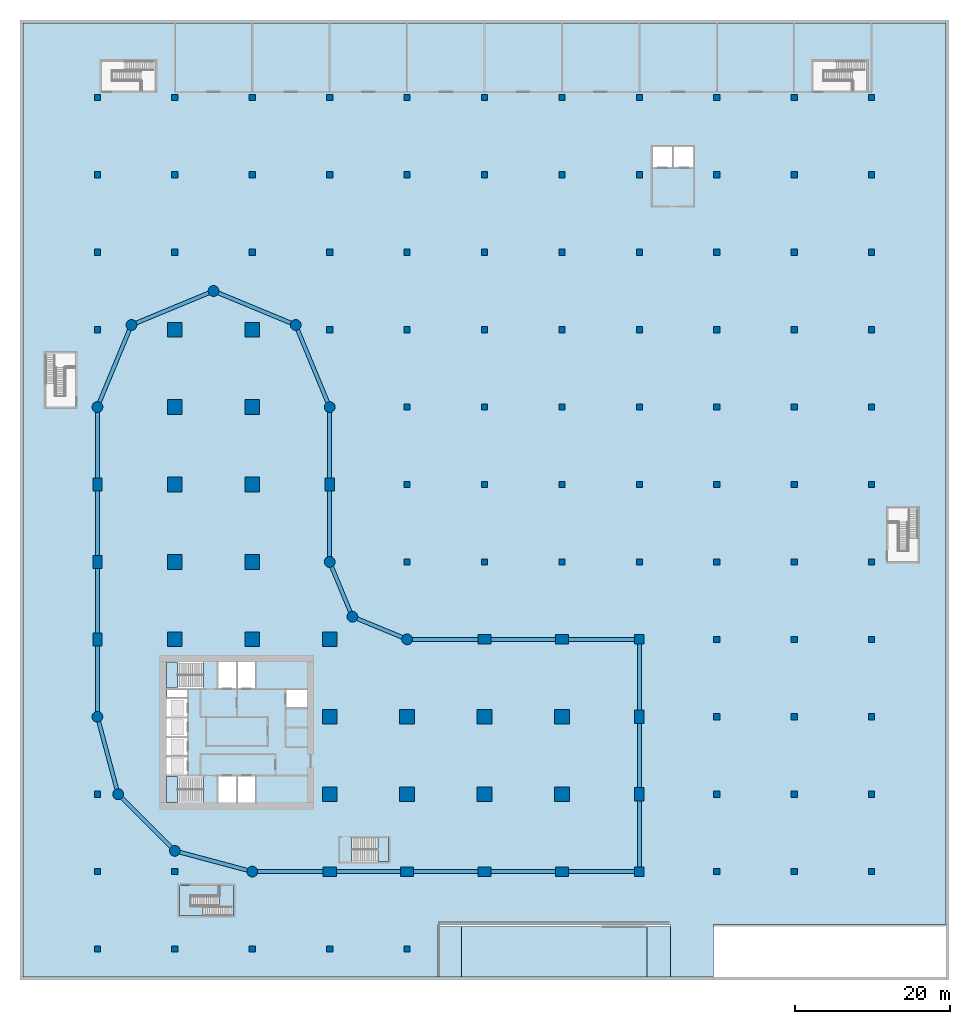
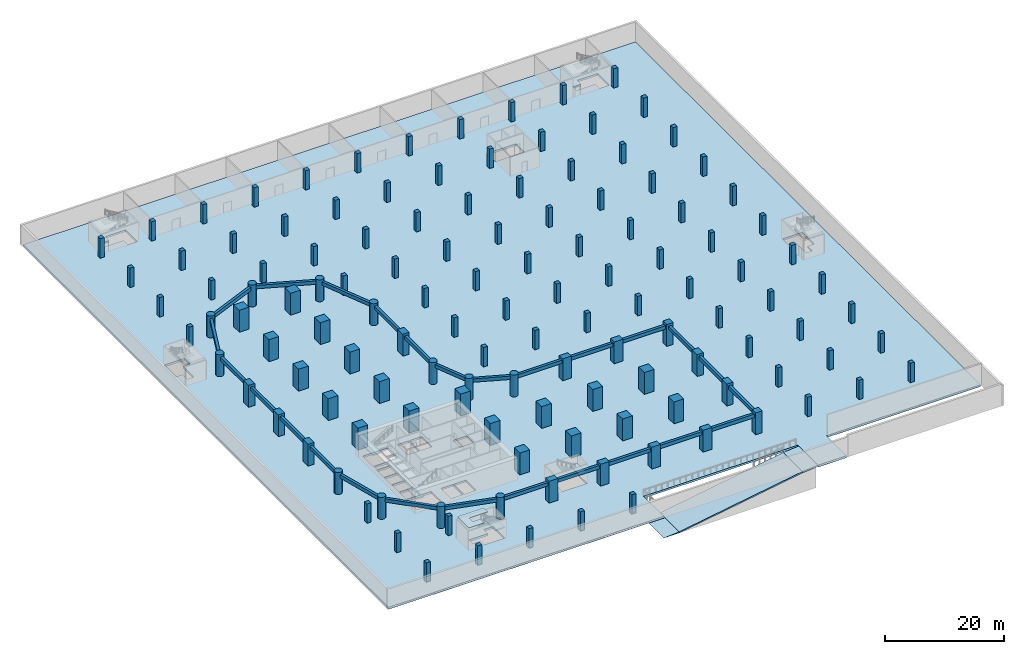
# One storey, part 1 of 19: 128 columns, 26 beams, 9 slabs, 4 elements without a shape of their own.
"""IFC4 building model written with IfcOpenShell, lengths in metres."""

from ifc_helpers import new_model, si_unit, direction, frame, origin, origin_2d, place, context, subcontext, project, spatial, polyline, rectangle, circle, outline, extrude, material, layer, layer_set, material_profile, profile_set, type_object, element, aggregate, save


model = new_model("IFC4")

# Units and contexts
model_context = context("Model", 3, precision=1e-05, world=origin(), true_north=direction((0.0, 1.0)))
body_context = subcontext(model_context, "Body", "Model", "MODEL_VIEW")
ifc_project = project(units=[si_unit("LENGTHUNIT", "METRE"), si_unit("AREAUNIT", "SQUARE_METRE"), si_unit("VOLUMEUNIT", "CUBIC_METRE"), si_unit("PLANEANGLEUNIT", "RADIAN"), si_unit("MASSUNIT", "GRAM", prefix="KILO")], contexts=[model_context])

# Site, building, storey
site_placement = place(None, origin())
site = spatial("IfcSite", under=ifc_project, at=site_placement, CompositionType="ELEMENT")
building_placement = place(site_placement, origin())
building = spatial("IfcBuilding", under=site, at=building_placement, Name="Qaws Garden Tower", CompositionType="ELEMENT")
storey_placement = place(building_placement, frame((0.0, 0.0, -4.5)))
storey = spatial("IfcBuildingStorey", under=building, at=storey_placement, Name="B1", CompositionType="ELEMENT", Elevation=-4.5)

# Columns
ifc_material_1 = material(Name="Concrete C80", Category="concrete")
ifc_material_profile_1 = material_profile(ifc_material_1, rectangle(XDim=1.25, YDim=1.25, at=origin_2d()), Name="RC 1250x1250")
ifc_profile_set_1 = profile_set([ifc_material_profile_1], Name="Concrete C80")
column_type_1 = type_object("IfcColumnType", Name="Column RC 1250x1250 C80", PredefinedType="COLUMN", material=ifc_profile_set_1)
for number, where, z_axis, x_axis, name in (
    (1, (70.0, 0.0, 0.0), (0.0, 0.0, 1.0), (1.0, 0.0, 0.0), "Column B1-006"),
    (2, (70.0, 30.0, 0.0), (0.0, 0.0, 1.0), (1.0, 0.0, 0.0), "Column B1-009"),
):
    element("IfcColumn", number, at=place(storey_placement, frame(where, z_axis=z_axis, x_axis=x_axis)), inside=storey, type_object=column_type_1, Name=name, PredefinedType="COLUMN", context=body_context, shape_type="SweptSolid", body=[
        extrude(rectangle(XDim=1.25, YDim=1.25, at=origin_2d()), origin(), (0.0, 0.0, 1.0), 4.5),
    ])
ifc_material_2 = material(Name="Concrete C80", Category="concrete")
ifc_material_profile_2 = material_profile(ifc_material_2, rectangle(XDim=1.699951171875, YDim=1.199951171875, at=origin_2d()), Name="RC 1700x1200")
ifc_profile_set_2 = profile_set([ifc_material_profile_2], Name="Concrete C80")
column_type_2 = type_object("IfcColumnType", Name="Column RC 1700x1200 C80", PredefinedType="COLUMN", material=ifc_profile_set_2)
for number, where, z_axis, x_axis, name in (
    (3, (30.0, 0.0, 0.0), (0.0, 0.0, 1.0), (1.0, 0.0, 0.0), "Column B1-002"),
    (4, (40.0, 0.0, 0.0), (0.0, 0.0, 1.0), (1.0, 0.0, 0.0), "Column B1-003"),
    (5, (50.0, 0.0, 0.0), (0.0, 0.0, 1.0), (1.0, 0.0, 0.0), "Column B1-004"),
    (6, (60.0, 0.0, 0.0), (0.0, 0.0, 1.0), (1.0, 0.0, 0.0), "Column B1-005"),
    (7, (70.0, 10.0, 0.0), (0.0, 0.0, 1.0), (0.0, 1.0, 0.0), "Column B1-007"),
    (8, (70.0, 20.0, 0.0), (0.0, 0.0, 1.0), (0.0, 1.0, 0.0), "Column B1-008"),
    (9, (60.0, 30.0, 0.0), (0.0, 0.0, 1.0), (1.0, 0.0, 0.0), "Column B1-010"),
    (10, (50.0, 30.0, 0.0), (0.0, 0.0, 1.0), (1.0, 0.0, 0.0), "Column B1-011"),
    (11, (30.0, 50.0, 0.0), (0.0, 0.0, 1.0), (0.0, 1.0, 0.0), "Column B1-015"),
    (12, (0.0, 50.0, 0.0), (0.0, 0.0, 1.0), (0.0, 1.0, 0.0), "Column B1-021"),
    (13, (0.0, 40.0, 0.0), (0.0, 0.0, 1.0), (0.0, 1.0, 0.0), "Column B1-022"),
    (14, (0.0, 30.0, 0.0), (0.0, 0.0, 1.0), (0.0, 1.0, 0.0), "Column B1-023"),
):
    element("IfcColumn", number, at=place(storey_placement, frame(where, z_axis=z_axis, x_axis=x_axis)), inside=storey, type_object=column_type_2, Name=name, PredefinedType="COLUMN", context=body_context, shape_type="SweptSolid", body=[
        extrude(rectangle(XDim=1.699951171875, YDim=1.199951171875, at=origin_2d()), origin(), (0.0, 0.0, 1.0), 4.5),
    ])
ifc_material_3 = material(Name="Concrete C80", Category="concrete")
ifc_material_profile_3 = material_profile(ifc_material_3, rectangle(XDim=1.89990234375, YDim=1.89990234375, at=origin_2d()), Name="RC 1900x1900")
ifc_profile_set_3 = profile_set([ifc_material_profile_3], Name="Concrete C80")
column_type_3 = type_object("IfcColumnType", Name="Column RC 1900x1900 C80", PredefinedType="COLUMN", material=ifc_profile_set_3)
for number, where, z_axis, x_axis, name in (
    (15, (10.0, 30.0, 0.0), (0.0, 0.0, 1.0), (1.0, 0.0, 0.0), "Column B1-027"),
    (16, (10.0, 40.0, 0.0), (0.0, 0.0, 1.0), (1.0, 0.0, 0.0), "Column B1-028"),
    (17, (10.0, 50.0, 0.0), (0.0, 0.0, 1.0), (1.0, 0.0, 0.0), "Column B1-029"),
    (18, (10.0, 60.0, 0.0), (0.0, 0.0, 1.0), (1.0, 0.0, 0.0), "Column B1-030"),
    (19, (10.0, 70.0, 0.0), (0.0, 0.0, 1.0), (1.0, 0.0, 0.0), "Column B1-031"),
    (20, (20.0, 30.0, 0.0), (0.0, 0.0, 1.0), (1.0, 0.0, 0.0), "Column B1-032"),
    (21, (20.0, 40.0, 0.0), (0.0, 0.0, 1.0), (1.0, 0.0, 0.0), "Column B1-033"),
    (22, (20.0, 50.0, 0.0), (0.0, 0.0, 1.0), (1.0, 0.0, 0.0), "Column B1-034"),
    (23, (20.0, 60.0, 0.0), (0.0, 0.0, 1.0), (1.0, 0.0, 0.0), "Column B1-035"),
    (24, (20.0, 70.0, 0.0), (0.0, 0.0, 1.0), (1.0, 0.0, 0.0), "Column B1-036"),
    (25, (30.0, 10.0, 0.0), (0.0, 0.0, 1.0), (1.0, 0.0, 0.0), "Column B1-037"),
    (26, (30.0, 20.0, 0.0), (0.0, 0.0, 1.0), (1.0, 0.0, 0.0), "Column B1-038"),
    (27, (30.0, 30.0, 0.0), (0.0, 0.0, 1.0), (1.0, 0.0, 0.0), "Column B1-039"),
    (28, (40.0, 10.0, 0.0), (0.0, 0.0, 1.0), (1.0, 0.0, 0.0), "Column B1-040"),
    (29, (40.0, 20.0, 0.0), (0.0, 0.0, 1.0), (1.0, 0.0, 0.0), "Column B1-041"),
    (30, (50.0, 10.0, 0.0), (0.0, 0.0, 1.0), (1.0, 0.0, 0.0), "Column B1-042"),
    (31, (50.0, 20.0, 0.0), (0.0, 0.0, 1.0), (1.0, 0.0, 0.0), "Column B1-043"),
    (32, (60.0, 10.0, 0.0), (0.0, 0.0, 1.0), (1.0, 0.0, 0.0), "Column B1-044"),
    (33, (60.0, 20.0, 0.0), (0.0, 0.0, 1.0), (1.0, 0.0, 0.0), "Column B1-045"),
):
    element("IfcColumn", number, at=place(storey_placement, frame(where, z_axis=z_axis, x_axis=x_axis)), inside=storey, type_object=column_type_3, Name=name, PredefinedType="COLUMN", context=body_context, shape_type="SweptSolid", body=[
        extrude(rectangle(XDim=1.89990234375, YDim=1.89990234375, at=origin_2d()), origin(), (0.0, 0.0, 1.0), 4.5),
    ])
ifc_material_4 = material(Name="Concrete C80", Category="concrete")
ifc_material_profile_4 = material_profile(ifc_material_4, circle(Radius=0.699951171875, at=origin_2d()), Name="RC D1400")
ifc_profile_set_4 = profile_set([ifc_material_profile_4], Name="Concrete C80")
column_type_4 = type_object("IfcColumnType", Name="Column RC D1400 C80", PredefinedType="COLUMN", material=ifc_profile_set_4)
for number, where, z_axis, x_axis, name in (
    (34, (20.0, 0.0, 0.0), (0.0, 0.0, 1.0), (1.0, 0.0, 0.0), "Column B1-001"),
    (35, (40.0, 30.0, 0.0), (0.0, 0.0, 1.0), (1.0, 0.0, 0.0), "Column B1-012"),
    (36, (32.928955078125, 32.928955078125, 0.0), (0.0, 0.0, 1.0), (1.0, 0.0, 0.0), "Column B1-013"),
    (37, (30.0, 40.0, 0.0), (0.0, 0.0, 1.0), (1.0, 0.0, 0.0), "Column B1-014"),
    (38, (30.0, 60.0, 0.0), (0.0, 0.0, 1.0), (1.0, 0.0, 0.0), "Column B1-016"),
    (39, (25.606689453125, 70.606689453125, 0.0), (0.0, 0.0, 1.0), (1.0, 0.0, 0.0), "Column B1-017"),
    (40, (15.0, 75.0, 0.0), (0.0, 0.0, 1.0), (1.0, 0.0, 0.0), "Column B1-018"),
    (41, (4.393310546875, 70.606689453125, 0.0), (0.0, 0.0, 1.0), (1.0, 0.0, 0.0), "Column B1-019"),
    (42, (0.0, 60.0, 0.0), (0.0, 0.0, 1.0), (1.0, 0.0, 0.0), "Column B1-020"),
    (43, (0.0, 20.0, 0.0), (0.0, 0.0, 1.0), (1.0, 0.0, 0.0), "Column B1-024"),
    (44, (2.679443359375, 10.0, 0.0), (0.0, 0.0, 1.0), (1.0, 0.0, 0.0), "Column B1-025"),
    (45, (10.0, 2.679443359375, 0.0), (0.0, 0.0, 1.0), (1.0, 0.0, 0.0), "Column B1-026"),
):
    element("IfcColumn", number, at=place(storey_placement, frame(where, z_axis=z_axis, x_axis=x_axis)), inside=storey, type_object=column_type_4, Name=name, PredefinedType="COLUMN", context=body_context, shape_type="SweptSolid", body=[
        extrude(circle(Radius=0.699951171875, at=origin_2d()), origin(), (0.0, 0.0, 1.0), 4.5),
    ])
ifc_material_5 = material(Name="Concrete C45 precast", Category="concrete")
ifc_material_profile_5 = material_profile(ifc_material_5, rectangle(XDim=0.800048828125, YDim=0.800048828125, at=origin_2d()), Name="PC1 column 800 x 800")
ifc_profile_set_5 = profile_set([ifc_material_profile_5], Name="Concrete C45 precast")
column_type_5 = type_object("IfcColumnType", Name="PC1 column 800 x 800", PredefinedType="COLUMN", material=ifc_profile_set_5)
for number, where, z_axis, x_axis, name in (
    (46, (0.0, -10.0, 0.0), (0.0, 0.0, 1.0), (1.0, 0.0, 0.0), "Column 1 B1"),
    (47, (0.0, 0.0, 0.0), (0.0, 0.0, 1.0), (1.0, 0.0, 0.0), "Column 2 B1"),
    (48, (0.0, 10.0, 0.0), (0.0, 0.0, 1.0), (1.0, 0.0, 0.0), "Column 3 B1"),
    (49, (0.0, 70.0, 0.0), (0.0, 0.0, 1.0), (1.0, 0.0, 0.0), "Column 4 B1"),
    (50, (0.0, 80.0, 0.0), (0.0, 0.0, 1.0), (1.0, 0.0, 0.0), "Column 5 B1"),
    (51, (0.0, 90.0, 0.0), (0.0, 0.0, 1.0), (1.0, 0.0, 0.0), "Column 6 B1"),
    (52, (0.0, 100.0, 0.0), (0.0, 0.0, 1.0), (1.0, 0.0, 0.0), "Column 7 B1"),
    (53, (10.0, -10.0, 0.0), (0.0, 0.0, 1.0), (1.0, 0.0, 0.0), "Column 8 B1"),
    (54, (10.0, 0.0, 0.0), (0.0, 0.0, 1.0), (1.0, 0.0, 0.0), "Column 9 B1"),
    (55, (10.0, 80.0, 0.0), (0.0, 0.0, 1.0), (1.0, 0.0, 0.0), "Column 10 B1"),
    (56, (10.0, 90.0, 0.0), (0.0, 0.0, 1.0), (1.0, 0.0, 0.0), "Column 11 B1"),
    (57, (10.0, 100.0, 0.0), (0.0, 0.0, 1.0), (1.0, 0.0, 0.0), "Column 12 B1"),
    (58, (20.0, -10.0, 0.0), (0.0, 0.0, 1.0), (1.0, 0.0, 0.0), "Column 13 B1"),
    (59, (20.0, 80.0, 0.0), (0.0, 0.0, 1.0), (1.0, 0.0, 0.0), "Column 14 B1"),
    (60, (20.0, 90.0, 0.0), (0.0, 0.0, 1.0), (1.0, 0.0, 0.0), "Column 15 B1"),
    (61, (20.0, 100.0, 0.0), (0.0, 0.0, 1.0), (1.0, 0.0, 0.0), "Column 16 B1"),
    (62, (30.0, -10.0, 0.0), (0.0, 0.0, 1.0), (1.0, 0.0, 0.0), "Column 17 B1"),
    (63, (30.0, 70.0, 0.0), (0.0, 0.0, 1.0), (1.0, 0.0, 0.0), "Column 18 B1"),
    (64, (30.0, 80.0, 0.0), (0.0, 0.0, 1.0), (1.0, 0.0, 0.0), "Column 19 B1"),
    (65, (30.0, 90.0, 0.0), (0.0, 0.0, 1.0), (1.0, 0.0, 0.0), "Column 20 B1"),
    (66, (30.0, 100.0, 0.0), (0.0, 0.0, 1.0), (1.0, 0.0, 0.0), "Column 21 B1"),
    (67, (40.0, -10.0, 0.0), (0.0, 0.0, 1.0), (1.0, 0.0, 0.0), "Column 22 B1"),
    (68, (40.0, 40.0, 0.0), (0.0, 0.0, 1.0), (1.0, 0.0, 0.0), "Column 23 B1"),
    (69, (40.0, 50.0, 0.0), (0.0, 0.0, 1.0), (1.0, 0.0, 0.0), "Column 24 B1"),
    (70, (40.0, 60.0, 0.0), (0.0, 0.0, 1.0), (1.0, 0.0, 0.0), "Column 25 B1"),
    (71, (40.0, 70.0, 0.0), (0.0, 0.0, 1.0), (1.0, 0.0, 0.0), "Column 26 B1"),
    (72, (40.0, 80.0, 0.0), (0.0, 0.0, 1.0), (1.0, 0.0, 0.0), "Column 27 B1"),
    (73, (40.0, 90.0, 0.0), (0.0, 0.0, 1.0), (1.0, 0.0, 0.0), "Column 28 B1"),
    (74, (40.0, 100.0, 0.0), (0.0, 0.0, 1.0), (1.0, 0.0, 0.0), "Column 29 B1"),
    (75, (50.0, 40.0, 0.0), (0.0, 0.0, 1.0), (1.0, 0.0, 0.0), "Column 30 B1"),
    (76, (50.0, 50.0, 0.0), (0.0, 0.0, 1.0), (1.0, 0.0, 0.0), "Column 31 B1"),
    (77, (50.0, 60.0, 0.0), (0.0, 0.0, 1.0), (1.0, 0.0, 0.0), "Column 32 B1"),
    (78, (50.0, 70.0, 0.0), (0.0, 0.0, 1.0), (1.0, 0.0, 0.0), "Column 33 B1"),
    (79, (50.0, 80.0, 0.0), (0.0, 0.0, 1.0), (1.0, 0.0, 0.0), "Column 34 B1"),
    (80, (50.0, 90.0, 0.0), (0.0, 0.0, 1.0), (1.0, 0.0, 0.0), "Column 35 B1"),
    (81, (50.0, 100.0, 0.0), (0.0, 0.0, 1.0), (1.0, 0.0, 0.0), "Column 36 B1"),
    (82, (60.0, 40.0, 0.0), (0.0, 0.0, 1.0), (1.0, 0.0, 0.0), "Column 37 B1"),
    (83, (60.0, 50.0, 0.0), (0.0, 0.0, 1.0), (1.0, 0.0, 0.0), "Column 38 B1"),
    (84, (60.0, 60.0, 0.0), (0.0, 0.0, 1.0), (1.0, 0.0, 0.0), "Column 39 B1"),
    (85, (60.0, 70.0, 0.0), (0.0, 0.0, 1.0), (1.0, 0.0, 0.0), "Column 40 B1"),
    (86, (60.0, 80.0, 0.0), (0.0, 0.0, 1.0), (1.0, 0.0, 0.0), "Column 41 B1"),
    (87, (60.0, 90.0, 0.0), (0.0, 0.0, 1.0), (1.0, 0.0, 0.0), "Column 42 B1"),
    (88, (60.0, 100.0, 0.0), (0.0, 0.0, 1.0), (1.0, 0.0, 0.0), "Column 43 B1"),
    (89, (70.0, 40.0, 0.0), (0.0, 0.0, 1.0), (1.0, 0.0, 0.0), "Column 44 B1"),
    (90, (70.0, 50.0, 0.0), (0.0, 0.0, 1.0), (1.0, 0.0, 0.0), "Column 45 B1"),
    (91, (70.0, 60.0, 0.0), (0.0, 0.0, 1.0), (1.0, 0.0, 0.0), "Column 46 B1"),
    (92, (70.0, 70.0, 0.0), (0.0, 0.0, 1.0), (1.0, 0.0, 0.0), "Column 47 B1"),
    (93, (70.0, 80.0, 0.0), (0.0, 0.0, 1.0), (1.0, 0.0, 0.0), "Column 48 B1"),
    (94, (70.0, 90.0, 0.0), (0.0, 0.0, 1.0), (1.0, 0.0, 0.0), "Column 49 B1"),
    (95, (70.0, 100.0, 0.0), (0.0, 0.0, 1.0), (1.0, 0.0, 0.0), "Column 50 B1"),
    (96, (80.0, 0.0, 0.0), (0.0, 0.0, 1.0), (1.0, 0.0, 0.0), "Column 51 B1"),
    (97, (80.0, 10.0, 0.0), (0.0, 0.0, 1.0), (1.0, 0.0, 0.0), "Column 52 B1"),
    (98, (80.0, 20.0, 0.0), (0.0, 0.0, 1.0), (1.0, 0.0, 0.0), "Column 53 B1"),
    (99, (80.0, 30.0, 0.0), (0.0, 0.0, 1.0), (1.0, 0.0, 0.0), "Column 54 B1"),
    (100, (80.0, 40.0, 0.0), (0.0, 0.0, 1.0), (1.0, 0.0, 0.0), "Column 55 B1"),
    (101, (80.0, 50.0, 0.0), (0.0, 0.0, 1.0), (1.0, 0.0, 0.0), "Column 56 B1"),
    (102, (80.0, 60.0, 0.0), (0.0, 0.0, 1.0), (1.0, 0.0, 0.0), "Column 57 B1"),
    (103, (80.0, 70.0, 0.0), (0.0, 0.0, 1.0), (1.0, 0.0, 0.0), "Column 58 B1"),
    (104, (80.0, 80.0, 0.0), (0.0, 0.0, 1.0), (1.0, 0.0, 0.0), "Column 59 B1"),
    (105, (80.0, 90.0, 0.0), (0.0, 0.0, 1.0), (1.0, 0.0, 0.0), "Column 60 B1"),
    (106, (80.0, 100.0, 0.0), (0.0, 0.0, 1.0), (1.0, 0.0, 0.0), "Column 61 B1"),
    (107, (90.0, 0.0, 0.0), (0.0, 0.0, 1.0), (1.0, 0.0, 0.0), "Column 62 B1"),
    (108, (90.0, 10.0, 0.0), (0.0, 0.0, 1.0), (1.0, 0.0, 0.0), "Column 63 B1"),
    (109, (90.0, 20.0, 0.0), (0.0, 0.0, 1.0), (1.0, 0.0, 0.0), "Column 64 B1"),
    (110, (90.0, 30.0, 0.0), (0.0, 0.0, 1.0), (1.0, 0.0, 0.0), "Column 65 B1"),
    (111, (90.0, 40.0, 0.0), (0.0, 0.0, 1.0), (1.0, 0.0, 0.0), "Column 66 B1"),
    (112, (90.0, 50.0, 0.0), (0.0, 0.0, 1.0), (1.0, 0.0, 0.0), "Column 67 B1"),
    (113, (90.0, 60.0, 0.0), (0.0, 0.0, 1.0), (1.0, 0.0, 0.0), "Column 68 B1"),
    (114, (90.0, 70.0, 0.0), (0.0, 0.0, 1.0), (1.0, 0.0, 0.0), "Column 69 B1"),
    (115, (90.0, 80.0, 0.0), (0.0, 0.0, 1.0), (1.0, 0.0, 0.0), "Column 70 B1"),
    (116, (90.0, 90.0, 0.0), (0.0, 0.0, 1.0), (1.0, 0.0, 0.0), "Column 71 B1"),
    (117, (90.0, 100.0, 0.0), (0.0, 0.0, 1.0), (1.0, 0.0, 0.0), "Column 72 B1"),
    (118, (100.0, 0.0, 0.0), (0.0, 0.0, 1.0), (1.0, 0.0, 0.0), "Column 73 B1"),
    (119, (100.0, 10.0, 0.0), (0.0, 0.0, 1.0), (1.0, 0.0, 0.0), "Column 74 B1"),
    (120, (100.0, 20.0, 0.0), (0.0, 0.0, 1.0), (1.0, 0.0, 0.0), "Column 75 B1"),
    (121, (100.0, 30.0, 0.0), (0.0, 0.0, 1.0), (1.0, 0.0, 0.0), "Column 76 B1"),
    (122, (100.0, 40.0, 0.0), (0.0, 0.0, 1.0), (1.0, 0.0, 0.0), "Column 77 B1"),
    (123, (100.0, 50.0, 0.0), (0.0, 0.0, 1.0), (1.0, 0.0, 0.0), "Column 78 B1"),
    (124, (100.0, 60.0, 0.0), (0.0, 0.0, 1.0), (1.0, 0.0, 0.0), "Column 79 B1"),
    (125, (100.0, 70.0, 0.0), (0.0, 0.0, 1.0), (1.0, 0.0, 0.0), "Column 80 B1"),
    (126, (100.0, 80.0, 0.0), (0.0, 0.0, 1.0), (1.0, 0.0, 0.0), "Column 81 B1"),
    (127, (100.0, 90.0, 0.0), (0.0, 0.0, 1.0), (1.0, 0.0, 0.0), "Column 82 B1"),
    (128, (100.0, 100.0, 0.0), (0.0, 0.0, 1.0), (1.0, 0.0, 0.0), "Column 83 B1"),
):
    element("IfcColumn", number, at=place(storey_placement, frame(where, z_axis=z_axis, x_axis=x_axis)), inside=storey, type_object=column_type_5, Name=name, PredefinedType="COLUMN", context=body_context, shape_type="SweptSolid", body=[
        extrude(rectangle(XDim=0.800048828125, YDim=0.800048828125, at=origin_2d()), origin(), (0.0, 0.0, 1.0), 4.0),
    ])

# Beams
ifc_material_6 = material(Name="Concrete C45", Category="concrete")
ifc_material_profile_6 = material_profile(ifc_material_6, rectangle(XDim=0.5, YDim=0.699951171875, at=origin_2d()), Name="RC 500x700")
ifc_profile_set_6 = profile_set([ifc_material_profile_6], Name="Concrete C45")
beam_type = type_object("IfcBeamType", Name="Spandrel beam RC 500x700 C45", PredefinedType="SPANDREL", material=ifc_profile_set_6)
for number, where, z_axis, x_axis, name in (
    (129, (20.0, 0.0, 3.699951171875), (1.0, 0.0, 0.0), (0.0, 1.0, 0.0), "Spandrel beam B1-001"),
    (130, (30.0, 0.0, 3.699951171875), (1.0, 0.0, 0.0), (0.0, 1.0, 0.0), "Spandrel beam B1-002"),
    (131, (40.0, 0.0, 3.699951171875), (1.0, 0.0, 0.0), (0.0, 1.0, 0.0), "Spandrel beam B1-003"),
    (132, (50.0, 0.0, 3.699951171875), (1.0, 0.0, 0.0), (0.0, 1.0, 0.0), "Spandrel beam B1-004"),
    (133, (60.0, 0.0, 3.699951171875), (1.0, 0.0, 0.0), (0.0, 1.0, 0.0), "Spandrel beam B1-005"),
    (134, (70.0, 0.0, 3.699951171875), (0.0, 1.0, 0.0), (-1.0, 0.0, 0.0), "Spandrel beam B1-006"),
    (135, (70.0, 10.0, 3.699951171875), (0.0, 1.0, 0.0), (-1.0, 0.0, 0.0), "Spandrel beam B1-007"),
    (136, (70.0, 20.0, 3.699951171875), (0.0, 1.0, 0.0), (-1.0, 0.0, 0.0), "Spandrel beam B1-008"),
    (137, (70.0, 30.0, 3.699951171875), (-1.0, 0.0, 0.0), (0.0, -1.0, 0.0), "Spandrel beam B1-009"),
    (138, (60.0, 30.0, 3.699951171875), (-1.0, 0.0, 0.0), (0.0, -1.0, 0.0), "Spandrel beam B1-010"),
    (139, (50.0, 30.0, 3.699951171875), (-1.0, 0.0, 0.0), (0.0, -1.0, 0.0), "Spandrel beam B1-011"),
):
    element("IfcBeam", number, at=place(storey_placement, frame(where, z_axis=z_axis, x_axis=x_axis)), inside=storey, type_object=beam_type, Name=name, PredefinedType="SPANDREL", context=body_context, shape_type="SweptSolid", body=[
        extrude(rectangle(XDim=0.5, YDim=0.699951171875, at=origin_2d()), origin(), (0.0, 0.0, 1.0), 10.0),
    ])
for number, where, z_axis, x_axis, name in (
    (140, (40.0, 30.0, 3.699951171875), (-0.923878037141, 0.382687042488, 0.0), (-0.382687042488, -0.923878037141, 0.0), "Spandrel beam B1-012"),
    (141, (32.928955078125, 32.928955078125, 3.699951171875), (-0.382687042488, 0.923878037141, 0.0), (-0.923878037141, -0.382687042488, 0.0), "Spandrel beam B1-013"),
):
    element("IfcBeam", number, at=place(storey_placement, frame(where, z_axis=z_axis, x_axis=x_axis)), inside=storey, type_object=beam_type, Name=name, PredefinedType="SPANDREL", context=body_context, shape_type="SweptSolid", body=[
        extrude(rectangle(XDim=0.5, YDim=0.699951171875, at=origin_2d()), origin(), (0.0, 0.0, 1.0), 7.653564453125),
    ])
for number, where, z_axis, x_axis, name in (
    (142, (30.0, 40.0, 3.699951171875), (0.0, 1.0, 0.0), (-1.0, 0.0, 0.0), "Spandrel beam B1-014"),
    (143, (30.0, 50.0, 3.699951171875), (0.0, 1.0, 0.0), (-1.0, 0.0, 0.0), "Spandrel beam B1-015"),
):
    element("IfcBeam", number, at=place(storey_placement, frame(where, z_axis=z_axis, x_axis=x_axis)), inside=storey, type_object=beam_type, Name=name, PredefinedType="SPANDREL", context=body_context, shape_type="SweptSolid", body=[
        extrude(rectangle(XDim=0.5, YDim=0.699951171875, at=origin_2d()), origin(), (0.0, 0.0, 1.0), 10.0),
    ])
for number, where, z_axis, x_axis, name in (
    (144, (30.0, 60.0, 3.699951171875), (-0.382674207535, 0.923883353507, 0.0), (-0.923883353507, -0.382674207535, 0.0), "Spandrel beam B1-016"),
    (145, (25.606689453125, 70.606689453125, 3.699951171875), (-0.923883353507, 0.382674207535, 0.0), (-0.382674207535, -0.923883353507, 0.0), "Spandrel beam B1-017"),
    (146, (15.0, 75.0, 3.699951171875), (-0.923883353507, -0.382674207535, 0.0), (0.382674207535, -0.923883353507, 0.0), "Spandrel beam B1-018"),
    (147, (4.393310546875, 70.606689453125, 3.699951171875), (-0.382674207535, -0.923883353507, 0.0), (0.923883353507, -0.382674207535, 0.0), "Spandrel beam B1-019"),
):
    element("IfcBeam", number, at=place(storey_placement, frame(where, z_axis=z_axis, x_axis=x_axis)), inside=storey, type_object=beam_type, Name=name, PredefinedType="SPANDREL", context=body_context, shape_type="SweptSolid", body=[
        extrude(rectangle(XDim=0.5, YDim=0.699951171875, at=origin_2d()), origin(), (0.0, 0.0, 1.0), 11.48046875),
    ])
for number, where, z_axis, x_axis, name in (
    (148, (0.0, 60.0, 3.699951171875), (0.0, -1.0, 0.0), (1.0, 0.0, 0.0), "Spandrel beam B1-020"),
    (149, (0.0, 50.0, 3.699951171875), (0.0, -1.0, 0.0), (1.0, 0.0, 0.0), "Spandrel beam B1-021"),
    (150, (0.0, 40.0, 3.699951171875), (0.0, -1.0, 0.0), (1.0, 0.0, 0.0), "Spandrel beam B1-022"),
    (151, (0.0, 30.0, 3.699951171875), (0.0, -1.0, 0.0), (1.0, 0.0, 0.0), "Spandrel beam B1-023"),
):
    element("IfcBeam", number, at=place(storey_placement, frame(where, z_axis=z_axis, x_axis=x_axis)), inside=storey, type_object=beam_type, Name=name, PredefinedType="SPANDREL", context=body_context, shape_type="SweptSolid", body=[
        extrude(rectangle(XDim=0.5, YDim=0.699951171875, at=origin_2d()), origin(), (0.0, 0.0, 1.0), 10.0),
    ])
for number, where, z_axis, x_axis, name in (
    (152, (0.0, 20.0, 3.699951171875), (0.25881466832, -0.965926999034, 0.0), (0.965926999034, 0.25881466832, 0.0), "Spandrel beam B1-024"),
    (153, (2.679443359375, 10.0, 3.699951171875), (0.707106781187, -0.707106781187, 0.0), (0.707106781187, 0.707106781187, 0.0), "Spandrel beam B1-025"),
    (154, (10.0, 2.679443359375, 3.699951171875), (0.965926999034, -0.25881466832, 0.0), (0.25881466832, 0.965926999034, 0.0), "Spandrel beam B1-026"),
):
    element("IfcBeam", number, at=place(storey_placement, frame(where, z_axis=z_axis, x_axis=x_axis)), inside=storey, type_object=beam_type, Name=name, PredefinedType="SPANDREL", context=body_context, shape_type="SweptSolid", body=[
        extrude(rectangle(XDim=0.5, YDim=0.699951171875, at=origin_2d()), origin(), (0.0, 0.0, 1.0), 10.352783203125),
    ])

# Slab
ifc_material_7 = material(Name="Concrete C40", Category="concrete")
ifc_layer_1 = layer(ifc_material_7, 0.39990234375)
ifc_layer_set_1 = layer_set([ifc_layer_1], Name="Concrete C40")
slab_type_1 = type_object("IfcSlabType", Name="Basement floor slab 400", PredefinedType="FLOOR", material=ifc_layer_set_1)
slab_1_placement = place(storey_placement, frame((0.0, 0.0, -0.39990234375)))
element("IfcSlab", 155, at=slab_1_placement, inside=storey, type_object=slab_type_1, Name="Basement floor slab B1", PredefinedType="FLOOR", context=body_context, shape_type="SweptSolid", body=[
    extrude(outline(polyline([(-9.60009765625, -13.60009765625), (44.0, -13.60009765625), (44.0, -6.800048828125), (74.0, -6.800048828125), (74.0, -13.60009765625), (79.60009765625, -13.60009765625), (79.60009765625, -6.800048828125), (109.60009765625, -6.800048828125), (109.60009765625, 109.60009765625), (-9.60009765625, 109.60009765625), (-9.60009765625, -13.60009765625)]), holes=[polyline([(13.659912109375, -4.39990234375), (13.659912109375, -5.699951171875), (15.739990234375, -5.699951171875), (17.60009765625, -5.699951171875), (17.60009765625, -4.39990234375), (17.60009765625, -3.199951171875), (17.60009765625, -1.800048828125), (15.739990234375, -1.800048828125), (15.739990234375, -3.199951171875), (12.10009765625, -3.199951171875), (12.10009765625, -4.39990234375), (13.659912109375, -4.39990234375)]), polyline([(13.699462890625, 12.300048828125), (8.89990234375, 12.300048828125), (8.89990234375, 8.89990234375), (13.699462890625, 8.89990234375), (13.699462890625, 12.300048828125)]), polyline([(17.89990234375, 12.300048828125), (15.60009765625, 12.300048828125), (15.60009765625, 8.89990234375), (17.89990234375, 8.89990234375), (17.89990234375, 12.300048828125)]), polyline([(11.60009765625, 12.5), (11.60009765625, 14.800048828125), (8.89990234375, 14.800048828125), (8.89990234375, 12.5), (11.60009765625, 12.5)]), polyline([(11.60009765625, 15.0), (11.60009765625, 17.300048828125), (8.89990234375, 17.300048828125), (8.89990234375, 15.0), (11.60009765625, 15.0)]), polyline([(11.60009765625, 19.800048828125), (8.89990234375, 19.800048828125), (8.89990234375, 17.5), (11.60009765625, 17.5), (11.60009765625, 19.800048828125)]), polyline([(11.60009765625, 22.300048828125), (8.89990234375, 22.300048828125), (8.89990234375, 20.0), (11.60009765625, 20.0), (11.60009765625, 22.300048828125)]), polyline([(11.60009765625, 23.5), (9.0, 23.5), (9.0, 22.5), (11.60009765625, 22.5), (11.60009765625, 23.5)]), polyline([(13.699462890625, 23.699951171875), (13.699462890625, 27.10009765625), (8.89990234375, 27.10009765625), (8.89990234375, 23.699951171875), (13.699462890625, 23.699951171875)]), polyline([(-6.699951171875, 65.139892578125), (-6.699951171875, 63.06005859375), (-5.39990234375, 63.06005859375), (-5.39990234375, 61.5), (-4.199951171875, 61.5), (-4.199951171875, 65.139892578125), (-2.800048828125, 65.139892578125), (-2.800048828125, 67.0), (-4.199951171875, 67.0), (-5.39990234375, 67.0), (-6.699951171875, 67.0), (-6.699951171875, 65.139892578125)]), polyline([(2.0, 102.199951171875), (5.639892578125, 102.199951171875), (5.639892578125, 100.800048828125), (7.5, 100.800048828125), (7.5, 102.199951171875), (7.5, 103.39990234375), (7.5, 104.699951171875), (5.639892578125, 104.699951171875), (3.56005859375, 104.699951171875), (3.56005859375, 103.39990234375), (2.0, 103.39990234375), (2.0, 102.199951171875)]), polyline([(37.60009765625, 1.300048828125), (37.60009765625, 4.39990234375), (32.8505859375, 4.39990234375), (32.8505859375, 1.300048828125), (37.60009765625, 1.300048828125)]), polyline([(20.39990234375, 8.89990234375), (20.39990234375, 12.300048828125), (18.10009765625, 12.300048828125), (18.10009765625, 8.89990234375), (20.39990234375, 8.89990234375)]), polyline([(27.10009765625, 23.5), (24.39990234375, 23.5), (24.39990234375, 21.199951171875), (27.10009765625, 21.199951171875), (27.10009765625, 23.5)]), polyline([(17.89990234375, 23.699951171875), (17.89990234375, 27.10009765625), (15.60009765625, 27.10009765625), (15.60009765625, 23.699951171875), (17.89990234375, 23.699951171875)]), polyline([(20.39990234375, 23.699951171875), (20.39990234375, 27.10009765625), (18.10009765625, 27.10009765625), (18.10009765625, 23.699951171875), (20.39990234375, 23.699951171875)]), polyline([(103.5, 47.0), (102.10009765625, 47.0), (102.10009765625, 45.139892578125), (103.5, 45.139892578125), (103.5, 41.5), (104.699951171875, 41.5), (104.699951171875, 43.06005859375), (106.0, 43.06005859375), (106.0, 45.139892578125), (106.0, 47.0), (104.699951171875, 47.0), (103.5, 47.0)]), polyline([(77.14990234375, 90.89990234375), (77.14990234375, 93.699951171875), (71.5, 93.699951171875), (71.5, 90.89990234375), (77.14990234375, 90.89990234375)]), polyline([(93.89990234375, 103.39990234375), (93.89990234375, 102.199951171875), (97.5400390625, 102.199951171875), (97.5400390625, 100.800048828125), (99.39990234375, 100.800048828125), (99.39990234375, 102.199951171875), (99.39990234375, 103.39990234375), (99.39990234375, 104.699951171875), (97.5400390625, 104.699951171875), (95.4599609375, 104.699951171875), (95.4599609375, 103.39990234375), (93.89990234375, 103.39990234375)])]), origin(), (0.0, 0.0, 1.0), 0.39990234375),
])

# Stair, slab
ifc_material_8 = material(Name="Concrete C40", Category="concrete")
stair_type_1 = type_object("IfcStairType", Name="Basement exit stair 1200", PredefinedType="HALF_TURN_STAIR", material=ifc_material_8)
placement_1 = place(storey_placement, origin())
stair_1 = element("IfcStair", 156, at=placement_1, inside=storey, type_object=stair_type_1, Name="Exit stair S1 B1 to L00", PredefinedType="HALF_TURN_STAIR")
ifc_material_9 = material(Name="Concrete C40", Category="concrete")
ifc_layer_2 = layer(ifc_material_9, 0.10009765625)
ifc_layer_set_2 = layer_set([ifc_layer_2], Name="Concrete C40")
slab_type_2 = type_object("IfcSlabType", Name="Stair foot slab 100", PredefinedType="LANDING", material=ifc_layer_set_2)
placement_2 = place(building_placement, origin())
slab_2_placement = place(placement_2, frame((0.0, 0.0, -0.10009765625)))
slab_2 = element("IfcSlab", 157, at=slab_2_placement, type_object=slab_type_2, Name="Exit stair S1 top landing", PredefinedType="LANDING", context=body_context, shape_type="SweptSolid", body=[
    extrude(outline(polyline([(10.60009765625, -5.699951171875), (13.659912109375, -5.699951171875), (13.659912109375, -4.39990234375), (12.10009765625, -4.39990234375), (12.10009765625, -3.199951171875), (15.739990234375, -3.199951171875), (15.739990234375, -1.800048828125), (10.60009765625, -1.800048828125), (10.60009765625, -5.699951171875)])), origin(), (0.0, 0.0, 1.0), 0.10009765625),
])

ifc_material_10 = material(Name="Concrete C40", Category="concrete")
stair_type_2 = type_object("IfcStairType", Name="Exit stair 1500", PredefinedType="HALF_TURN_STAIR", material=ifc_material_10)
stair_2 = element("IfcStair", 158, at=placement_1, inside=storey, type_object=stair_type_2, Name="Stair 1", PredefinedType="HALF_TURN_STAIR")
ifc_material_11 = material(Name="Concrete C40", Category="concrete")
ifc_layer_3 = layer(ifc_material_11, 0.199951171875)
ifc_layer_set_3 = layer_set([ifc_layer_3], Name="Concrete C40")
slab_type_3 = type_object("IfcSlabType", Name="Stair landing 200", PredefinedType="LANDING", material=ifc_layer_set_3)
placement_3 = place(storey_placement, frame((0.0, 0.0, 2.050048828125)))
slab_3 = element("IfcSlab", 159, at=placement_3, type_object=slab_type_3, Name="ST1 landing 1", PredefinedType="LANDING", context=body_context, shape_type="SweptSolid", body=[
    extrude(outline(polyline([(8.89990234375, 8.89990234375), (10.340087890625, 8.89990234375), (10.340087890625, 12.300048828125), (8.89990234375, 12.300048828125), (8.89990234375, 8.89990234375)])), origin(), (0.0, 0.0, 1.0), 0.199951171875),
])
aggregate(stair_2, [slab_3])

stair_3 = element("IfcStair", 160, at=placement_1, inside=storey, type_object=stair_type_2, Name="Stair 4", PredefinedType="HALF_TURN_STAIR")
slab_4 = element("IfcSlab", 161, at=placement_3, type_object=slab_type_3, Name="ST4 landing 1", PredefinedType="LANDING", context=body_context, shape_type="SweptSolid", body=[
    extrude(outline(polyline([(8.89990234375, 23.699951171875), (10.340087890625, 23.699951171875), (10.340087890625, 27.10009765625), (8.89990234375, 27.10009765625), (8.89990234375, 23.699951171875)])), origin(), (0.0, 0.0, 1.0), 0.199951171875),
])
aggregate(stair_3, [slab_4])

ifc_material_12 = material(Name="Concrete C40", Category="concrete")
stair_type_3 = type_object("IfcStairType", Name="Exit stair 1350", PredefinedType="HALF_TURN_STAIR", material=ifc_material_12)
stair_4 = element("IfcStair", 162, at=placement_1, inside=storey, type_object=stair_type_3, Name="Stair 5", PredefinedType="HALF_TURN_STAIR")
slab_5 = element("IfcSlab", 163, at=placement_3, type_object=slab_type_3, Name="ST5 landing 1", PredefinedType="LANDING", context=body_context, shape_type="SweptSolid", body=[
    extrude(outline(polyline([(36.2099609375, 1.300048828125), (37.60009765625, 1.300048828125), (37.60009765625, 4.39990234375), (36.2099609375, 4.39990234375), (36.2099609375, 1.300048828125)])), origin(), (0.0, 0.0, 1.0), 0.199951171875),
])
aggregate(stair_4, [slab_5])

# Slab
ifc_material_13 = material(Name="Concrete C40", Category="concrete")
ifc_layer_4 = layer(ifc_material_13, 0.25)
ifc_layer_set_4 = layer_set([ifc_layer_4], Name="Concrete C40")
slab_type_4 = type_object("IfcSlabType", Name="Stair landing 250", PredefinedType="LANDING", material=ifc_layer_set_4)
slab_6_placement = place(storey_placement, frame((0.0, 0.0, 2.0)))
slab_6 = element("IfcSlab", 164, at=slab_6_placement, type_object=slab_type_4, Name="PST2 landing 1", PredefinedType="LANDING", context=body_context, shape_type="SweptSolid", body=[
    extrude(outline(polyline([(15.739990234375, -1.800048828125), (17.60009765625, -1.800048828125), (17.60009765625, -5.699951171875), (15.739990234375, -5.699951171875), (15.739990234375, -1.800048828125)])), origin(), (0.0, 0.0, 1.0), 0.25),
])

aggregate(stair_1, [slab_6, slab_2])

# Slabs
ifc_material_14 = material(Name="Concrete C40", Category="concrete")
ifc_layer_5 = layer(ifc_material_14, 0.300048828125)
ifc_layer_set_5 = layer_set([ifc_layer_5], Name="Concrete C40")
slab_type_5 = type_object("IfcSlabType", Name="Vehicle ramp slab 300", PredefinedType="USERDEFINED", material=ifc_layer_set_5)
slab_7_placement = place(storey_placement, frame((74.0, -10.35009765625, -0.550048828125), z_axis=(0.0, 0.0, 1.0), x_axis=(-1.0, 0.0, 0.0)))
element("IfcSlab", 165, at=slab_7_placement, inside=storey, type_object=slab_type_5, Name="Vehicle ramp slab R2 entry transition", ObjectType="Vehicle ramp slab", PredefinedType="USERDEFINED", context=body_context, shape_type="SweptSolid", body=[
    extrude(outline(polyline([(0.0, 0.25), (3.0, 0.0), (3.0, 0.300048828125), (0.0, 0.550048828125), (0.0, 0.25)])), frame((0.0, 3.25, 0.0), z_axis=(0.0, -1.0, 0.0), x_axis=(1.0, 0.0, 0.0)), (0.0, 0.0, 1.0), 6.5),
])
slab_8_placement = place(storey_placement, frame((71.0, -10.35009765625, -4.5), z_axis=(0.0, 0.0, 1.0), x_axis=(-1.0, 0.0, 0.0)))
element("IfcSlab", 166, at=slab_8_placement, inside=storey, type_object=slab_type_5, Name="Vehicle ramp slab R2 main run", ObjectType="Vehicle ramp slab", PredefinedType="USERDEFINED", context=body_context, shape_type="SweptSolid", body=[
    extrude(outline(polyline([(0.0, 3.949951171875), (24.0, 0.0), (24.0, 0.25), (0.0, 4.25), (0.0, 3.949951171875)])), frame((0.0, 3.25, 0.0), z_axis=(0.0, -1.0, 0.0), x_axis=(1.0, 0.0, 0.0)), (0.0, 0.0, 1.0), 6.5),
])
slab_9_placement = place(storey_placement, frame((47.0, -10.35009765625, -4.5), z_axis=(0.0, 0.0, 1.0), x_axis=(-1.0, 0.0, 0.0)))
element("IfcSlab", 167, at=slab_9_placement, inside=storey, type_object=slab_type_5, Name="Vehicle ramp slab R2 exit transition", ObjectType="Vehicle ramp slab", PredefinedType="USERDEFINED", context=body_context, shape_type="SweptSolid", body=[
    extrude(outline(polyline([(0.0, 0.0), (3.0, 0.0), (3.0, 0.0), (0.0, 0.25), (0.0, 0.0)])), frame((0.0, 3.25, 0.0), z_axis=(0.0, -1.0, 0.0), x_axis=(1.0, 0.0, 0.0)), (0.0, 0.0, 1.0), 6.5),
])

save(model, "model.ifc")
